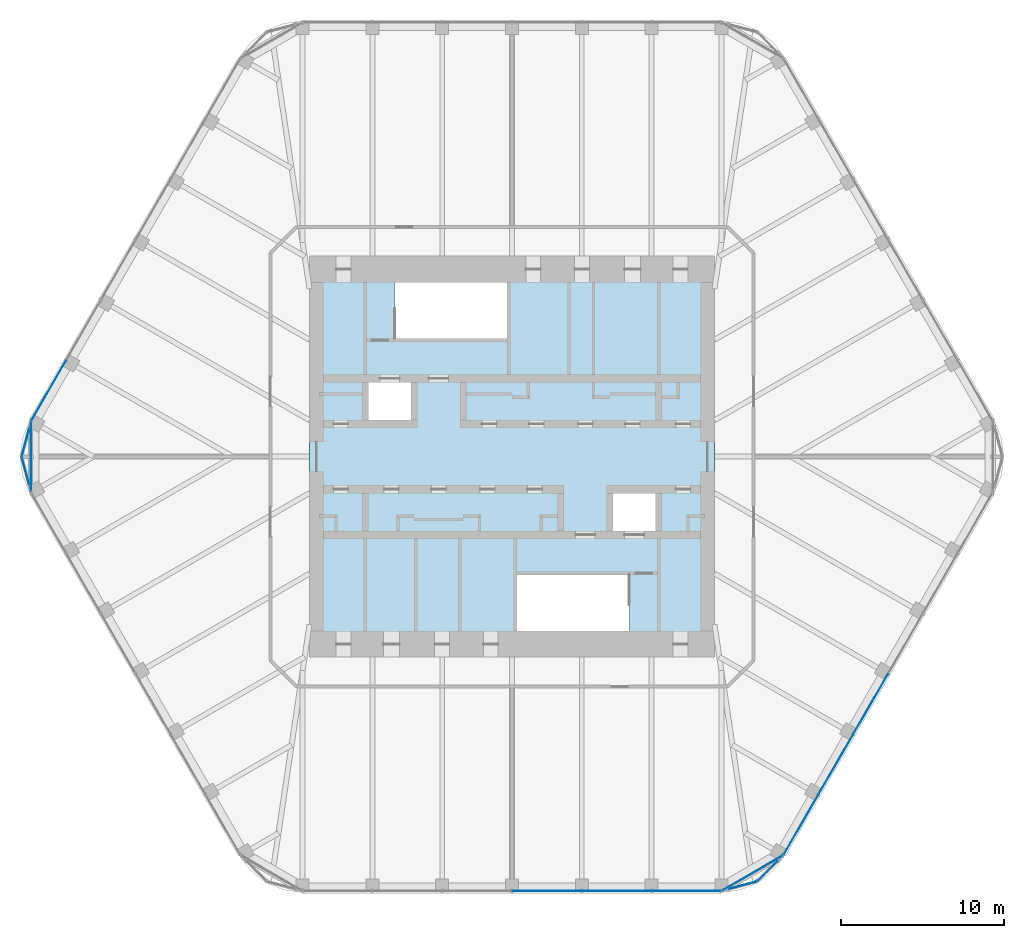
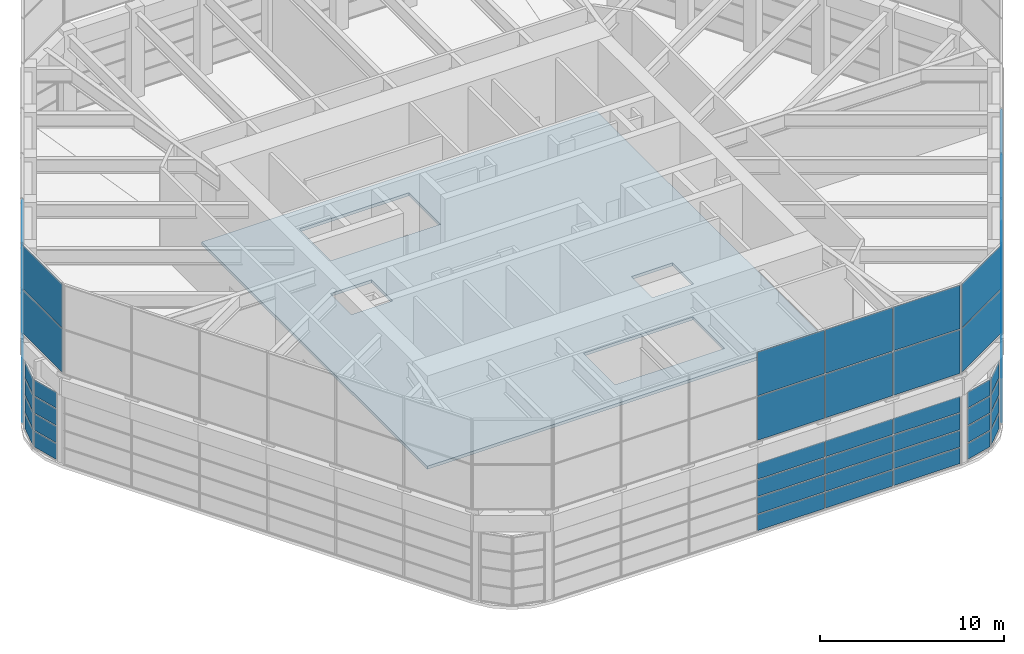
# One storey, part 11 of 17: 62 plates, 1 slab, 12 elements without a shape of their own.
"""IFC4 building model written with IfcOpenShell, lengths in metres."""

from ifc_helpers import new_model, si_unit, direction, frame, origin, origin_2d, place, context, subcontext, project, spatial, polyline, rectangle, outline, extrude, material, layer, layer_set, type_object, element, aggregate, save


model = new_model("IFC4")

# Units and contexts
model_context = context("Model", 3, precision=1e-05, world=origin(), true_north=direction((0.0, 1.0)))
body_context = subcontext(model_context, "Body", "Model", "MODEL_VIEW")
ifc_project = project(units=[si_unit("LENGTHUNIT", "METRE"), si_unit("AREAUNIT", "SQUARE_METRE"), si_unit("VOLUMEUNIT", "CUBIC_METRE"), si_unit("PLANEANGLEUNIT", "RADIAN"), si_unit("MASSUNIT", "GRAM", prefix="KILO")], contexts=[model_context])

# Site, building, storey
site_placement = place(None, origin())
site = spatial("IfcSite", under=ifc_project, at=site_placement, CompositionType="ELEMENT")
building_placement = place(site_placement, origin())
building = spatial("IfcBuilding", under=site, at=building_placement, Name="Tarfa Lantern Tower", CompositionType="ELEMENT")
storey_placement = place(building_placement, frame((0.0, 0.0, 402.300048828125)))
storey = spatial("IfcBuildingStorey", under=building, at=storey_placement, Name="L91", CompositionType="ELEMENT", Elevation=402.300048828125)

# Curtain wall, plates
ifc_material_1 = material(Name="Aluminium framed curtain wall", Category="aluminium")
curtain_wall_type_1 = type_object("IfcCurtainWallType", Name="CW8 LANTERN GLAZING 4600", PredefinedType="USERDEFINED", material=ifc_material_1)
curtain_wall_1_placement = place(storey_placement, origin())
curtain_wall_1 = element("IfcCurtainWall", 1, at=curtain_wall_1_placement, inside=storey, type_object=curtain_wall_type_1, Name="CW8 NWSW1 L91", ObjectType="CURTAIN WALL", PredefinedType="USERDEFINED")
ifc_material_2 = material(Name="Laminated double glazing", Category="glass")
ifc_layer_1 = layer(ifc_material_2, 0.028076171875)
ifc_layer_set_1 = layer_set([ifc_layer_1], Name="CWP1 DOUBLE GLAZED PANEL")
plate_type = type_object("IfcPlateType", Name="CWP1 DOUBLE GLAZED PANEL", PredefinedType="CURTAIN_PANEL", material=ifc_layer_set_1)
plate_1_placement = place(storey_placement, frame((-29.8544921875, 0.886962890625, 0.06494140625), z_axis=(0.0, 0.0, 1.0), x_axis=(-0.258818953611, -0.965925850804, 0.0)))
plate_1 = element("IfcPlate", 2, at=plate_1_placement, type_object=plate_type, Name="CW8 panel 1.1", PredefinedType="CURTAIN_PANEL", context=body_context, shape_type="SweptSolid", body=[
    extrude(rectangle(XDim=1.706787109375, YDim=0.028076171875, at=origin_2d()), origin(), (0.0, 0.0, 1.0), 1.052490234375),
])
plate_2_placement = place(storey_placement, frame((-29.8544921875, 0.886962890625, 1.182373046875), z_axis=(0.0, 0.0, 1.0), x_axis=(-0.258818953611, -0.965925850804, 0.0)))
plate_2 = element("IfcPlate", 3, at=plate_2_placement, type_object=plate_type, Name="CW8 panel 1.2", PredefinedType="CURTAIN_PANEL", context=body_context, shape_type="SweptSolid", body=[
    extrude(rectangle(XDim=1.706787109375, YDim=0.028076171875, at=origin_2d()), origin(), (0.0, 0.0, 1.0), 1.0849609375),
])
plate_3_placement = place(storey_placement, frame((-29.8544921875, 0.886962890625, 2.33251953125), z_axis=(0.0, 0.0, 1.0), x_axis=(-0.258818953611, -0.965925850804, 0.0)))
plate_3 = element("IfcPlate", 4, at=plate_3_placement, type_object=plate_type, Name="CW8 panel 1.3", PredefinedType="CURTAIN_PANEL", context=body_context, shape_type="SweptSolid", body=[
    extrude(rectangle(XDim=1.706787109375, YDim=0.028076171875, at=origin_2d()), origin(), (0.0, 0.0, 1.0), 1.0849609375),
])
plate_4_placement = place(storey_placement, frame((-29.8544921875, 0.886962890625, 3.482421875), z_axis=(0.0, 0.0, 1.0), x_axis=(-0.258818953611, -0.965925850804, 0.0)))
plate_4 = element("IfcPlate", 5, at=plate_4_placement, type_object=plate_type, Name="CW8 panel 1.4", PredefinedType="CURTAIN_PANEL", context=body_context, shape_type="SweptSolid", body=[
    extrude(rectangle(XDim=1.706787109375, YDim=0.028076171875, at=origin_2d()), origin(), (0.0, 0.0, 1.0), 1.052490234375),
])
aggregate(curtain_wall_1, [plate_1, plate_2, plate_3, plate_4])

curtain_wall_2_placement = place(storey_placement, origin())
curtain_wall_2 = element("IfcCurtainWall", 6, at=curtain_wall_2_placement, inside=storey, type_object=curtain_wall_type_1, Name="CW8 NWSW2 L91", ObjectType="CURTAIN WALL", PredefinedType="USERDEFINED")
plate_5_placement = place(storey_placement, frame((-29.8544921875, -0.886962890625, 0.06494140625), z_axis=(0.0, 0.0, 1.0), x_axis=(0.258818953611, -0.965925850804, 0.0)))
plate_5 = element("IfcPlate", 7, at=plate_5_placement, type_object=plate_type, Name="CW8 panel 1.1", PredefinedType="CURTAIN_PANEL", context=body_context, shape_type="SweptSolid", body=[
    extrude(rectangle(XDim=1.706787109375, YDim=0.028076171875, at=origin_2d()), origin(), (0.0, 0.0, 1.0), 1.052490234375),
])
plate_6_placement = place(storey_placement, frame((-29.8544921875, -0.886962890625, 1.182373046875), z_axis=(0.0, 0.0, 1.0), x_axis=(0.258818953611, -0.965925850804, 0.0)))
plate_6 = element("IfcPlate", 8, at=plate_6_placement, type_object=plate_type, Name="CW8 panel 1.2", PredefinedType="CURTAIN_PANEL", context=body_context, shape_type="SweptSolid", body=[
    extrude(rectangle(XDim=1.706787109375, YDim=0.028076171875, at=origin_2d()), origin(), (0.0, 0.0, 1.0), 1.0849609375),
])
plate_7_placement = place(storey_placement, frame((-29.8544921875, -0.886962890625, 2.33251953125), z_axis=(0.0, 0.0, 1.0), x_axis=(0.258818953611, -0.965925850804, 0.0)))
plate_7 = element("IfcPlate", 9, at=plate_7_placement, type_object=plate_type, Name="CW8 panel 1.3", PredefinedType="CURTAIN_PANEL", context=body_context, shape_type="SweptSolid", body=[
    extrude(rectangle(XDim=1.706787109375, YDim=0.028076171875, at=origin_2d()), origin(), (0.0, 0.0, 1.0), 1.0849609375),
])
plate_8_placement = place(storey_placement, frame((-29.8544921875, -0.886962890625, 3.482421875), z_axis=(0.0, 0.0, 1.0), x_axis=(0.258818953611, -0.965925850804, 0.0)))
plate_8 = element("IfcPlate", 10, at=plate_8_placement, type_object=plate_type, Name="CW8 panel 1.4", PredefinedType="CURTAIN_PANEL", context=body_context, shape_type="SweptSolid", body=[
    extrude(rectangle(XDim=1.706787109375, YDim=0.028076171875, at=origin_2d()), origin(), (0.0, 0.0, 1.0), 1.052490234375),
])
aggregate(curtain_wall_2, [plate_5, plate_6, plate_7, plate_8])

curtain_wall_3_placement = place(storey_placement, origin())
curtain_wall_3 = element("IfcCurtainWall", 11, at=curtain_wall_3_placement, inside=storey, type_object=curtain_wall_type_1, Name="CW8 SSE1 L91", ObjectType="CURTAIN WALL", PredefinedType="USERDEFINED")
plate_9_placement = place(storey_placement, frame((14.158935546875, -26.298095703125, 0.06494140625), z_axis=(0.0, 0.0, 1.0), x_axis=(0.965925850804, 0.258818953611, 0.0)))
plate_9 = element("IfcPlate", 12, at=plate_9_placement, type_object=plate_type, Name="CW8 panel 1.1", PredefinedType="CURTAIN_PANEL", context=body_context, shape_type="SweptSolid", body=[
    extrude(rectangle(XDim=1.706787109375, YDim=0.028076171875, at=origin_2d()), origin(), (0.0, 0.0, 1.0), 1.052490234375),
])
plate_10_placement = place(storey_placement, frame((14.158935546875, -26.298095703125, 1.182373046875), z_axis=(0.0, 0.0, 1.0), x_axis=(0.965925850804, 0.258818953611, 0.0)))
plate_10 = element("IfcPlate", 13, at=plate_10_placement, type_object=plate_type, Name="CW8 panel 1.2", PredefinedType="CURTAIN_PANEL", context=body_context, shape_type="SweptSolid", body=[
    extrude(rectangle(XDim=1.706787109375, YDim=0.028076171875, at=origin_2d()), origin(), (0.0, 0.0, 1.0), 1.0849609375),
])
plate_11_placement = place(storey_placement, frame((14.158935546875, -26.298095703125, 2.33251953125), z_axis=(0.0, 0.0, 1.0), x_axis=(0.965925850804, 0.258818953611, 0.0)))
plate_11 = element("IfcPlate", 14, at=plate_11_placement, type_object=plate_type, Name="CW8 panel 1.3", PredefinedType="CURTAIN_PANEL", context=body_context, shape_type="SweptSolid", body=[
    extrude(rectangle(XDim=1.706787109375, YDim=0.028076171875, at=origin_2d()), origin(), (0.0, 0.0, 1.0), 1.0849609375),
])
plate_12_placement = place(storey_placement, frame((14.158935546875, -26.298095703125, 3.482421875), z_axis=(0.0, 0.0, 1.0), x_axis=(0.965925850804, 0.258818953611, 0.0)))
plate_12 = element("IfcPlate", 15, at=plate_12_placement, type_object=plate_type, Name="CW8 panel 1.4", PredefinedType="CURTAIN_PANEL", context=body_context, shape_type="SweptSolid", body=[
    extrude(rectangle(XDim=1.706787109375, YDim=0.028076171875, at=origin_2d()), origin(), (0.0, 0.0, 1.0), 1.052490234375),
])
aggregate(curtain_wall_3, [plate_9, plate_10, plate_11, plate_12])

curtain_wall_4_placement = place(storey_placement, origin())
curtain_wall_4 = element("IfcCurtainWall", 16, at=curtain_wall_4_placement, inside=storey, type_object=curtain_wall_type_1, Name="CW8 SSE2 L91", ObjectType="CURTAIN WALL", PredefinedType="USERDEFINED")
plate_13_placement = place(storey_placement, frame((15.6953125, -25.4111328125, 0.06494140625), z_axis=(0.0, 0.0, 1.0), x_axis=(0.707106781187, 0.707106781187, 0.0)))
plate_13 = element("IfcPlate", 17, at=plate_13_placement, type_object=plate_type, Name="CW8 panel 1.1", PredefinedType="CURTAIN_PANEL", context=body_context, shape_type="SweptSolid", body=[
    extrude(rectangle(XDim=1.706787109375, YDim=0.028076171875, at=origin_2d()), origin(), (0.0, 0.0, 1.0), 1.052490234375),
])
plate_14_placement = place(storey_placement, frame((15.6953125, -25.4111328125, 1.182373046875), z_axis=(0.0, 0.0, 1.0), x_axis=(0.707106781187, 0.707106781187, 0.0)))
plate_14 = element("IfcPlate", 18, at=plate_14_placement, type_object=plate_type, Name="CW8 panel 1.2", PredefinedType="CURTAIN_PANEL", context=body_context, shape_type="SweptSolid", body=[
    extrude(rectangle(XDim=1.706787109375, YDim=0.028076171875, at=origin_2d()), origin(), (0.0, 0.0, 1.0), 1.0849609375),
])
plate_15_placement = place(storey_placement, frame((15.6953125, -25.4111328125, 2.33251953125), z_axis=(0.0, 0.0, 1.0), x_axis=(0.707106781187, 0.707106781187, 0.0)))
plate_15 = element("IfcPlate", 19, at=plate_15_placement, type_object=plate_type, Name="CW8 panel 1.3", PredefinedType="CURTAIN_PANEL", context=body_context, shape_type="SweptSolid", body=[
    extrude(rectangle(XDim=1.706787109375, YDim=0.028076171875, at=origin_2d()), origin(), (0.0, 0.0, 1.0), 1.0849609375),
])
plate_16_placement = place(storey_placement, frame((15.6953125, -25.4111328125, 3.482421875), z_axis=(0.0, 0.0, 1.0), x_axis=(0.707106781187, 0.707106781187, 0.0)))
plate_16 = element("IfcPlate", 20, at=plate_16_placement, type_object=plate_type, Name="CW8 panel 1.4", PredefinedType="CURTAIN_PANEL", context=body_context, shape_type="SweptSolid", body=[
    extrude(rectangle(XDim=1.706787109375, YDim=0.028076171875, at=origin_2d()), origin(), (0.0, 0.0, 1.0), 1.052490234375),
])
aggregate(curtain_wall_4, [plate_13, plate_14, plate_15, plate_16])

curtain_wall_5_placement = place(storey_placement, origin())
curtain_wall_5 = element("IfcCurtainWall", 21, at=curtain_wall_5_placement, inside=storey, type_object=curtain_wall_type_1, Name="CW8 NW L91", ObjectType="CURTAIN WALL", PredefinedType="USERDEFINED")
plate_17_placement = place(storey_placement, frame((-28.424072265625, 4.068359375, 0.06494140625), z_axis=(0.0, 0.0, 1.0), x_axis=(-0.5, -0.866025403784, 0.0)))
plate_17 = element("IfcPlate", 22, at=plate_17_placement, type_object=plate_type, Name="CW8 panel 6.1", PredefinedType="CURTAIN_PANEL", context=body_context, shape_type="SweptSolid", body=[
    extrude(rectangle(XDim=4.1845703125, YDim=0.028076171875, at=origin_2d()), origin(), (0.0, 0.0, 1.0), 1.052490234375),
])
plate_18_placement = place(storey_placement, frame((-28.424072265625, 4.068359375, 1.182373046875), z_axis=(0.0, 0.0, 1.0), x_axis=(-0.5, -0.866025403784, 0.0)))
plate_18 = element("IfcPlate", 23, at=plate_18_placement, type_object=plate_type, Name="CW8 panel 6.2", PredefinedType="CURTAIN_PANEL", context=body_context, shape_type="SweptSolid", body=[
    extrude(rectangle(XDim=4.1845703125, YDim=0.028076171875, at=origin_2d()), origin(), (0.0, 0.0, 1.0), 1.0849609375),
])
plate_19_placement = place(storey_placement, frame((-28.424072265625, 4.068359375, 2.33251953125), z_axis=(0.0, 0.0, 1.0), x_axis=(-0.5, -0.866025403784, 0.0)))
plate_19 = element("IfcPlate", 24, at=plate_19_placement, type_object=plate_type, Name="CW8 panel 6.3", PredefinedType="CURTAIN_PANEL", context=body_context, shape_type="SweptSolid", body=[
    extrude(rectangle(XDim=4.1845703125, YDim=0.028076171875, at=origin_2d()), origin(), (0.0, 0.0, 1.0), 1.0849609375),
])
plate_20_placement = place(storey_placement, frame((-28.424072265625, 4.068359375, 3.482421875), z_axis=(0.0, 0.0, 1.0), x_axis=(-0.5, -0.866025403784, 0.0)))
plate_20 = element("IfcPlate", 25, at=plate_20_placement, type_object=plate_type, Name="CW8 panel 6.4", PredefinedType="CURTAIN_PANEL", context=body_context, shape_type="SweptSolid", body=[
    extrude(rectangle(XDim=4.1845703125, YDim=0.028076171875, at=origin_2d()), origin(), (0.0, 0.0, 1.0), 1.052490234375),
])
aggregate(curtain_wall_5, [plate_17, plate_18, plate_19, plate_20])

curtain_wall_6_placement = place(storey_placement, origin())
curtain_wall_6 = element("IfcCurtainWall", 26, at=curtain_wall_6_placement, inside=storey, type_object=curtain_wall_type_1, Name="CW8 S L91", ObjectType="CURTAIN WALL", PredefinedType="USERDEFINED")
plate_21_placement = place(storey_placement, frame((2.14111328125, -26.64990234375, 0.06494140625), z_axis=(0.0, 0.0, 1.0), x_axis=(1.0, 0.0, 0.0)))
plate_21 = element("IfcPlate", 27, at=plate_21_placement, type_object=plate_type, Name="CW8 panel 4.1", PredefinedType="CURTAIN_PANEL", context=body_context, shape_type="SweptSolid", body=[
    extrude(rectangle(XDim=4.217041015625, YDim=0.028076171875, at=origin_2d()), origin(), (0.0, 0.0, 1.0), 1.052490234375),
])
plate_22_placement = place(storey_placement, frame((2.14111328125, -26.64990234375, 1.182373046875), z_axis=(0.0, 0.0, 1.0), x_axis=(1.0, 0.0, 0.0)))
plate_22 = element("IfcPlate", 28, at=plate_22_placement, type_object=plate_type, Name="CW8 panel 4.2", PredefinedType="CURTAIN_PANEL", context=body_context, shape_type="SweptSolid", body=[
    extrude(rectangle(XDim=4.217041015625, YDim=0.028076171875, at=origin_2d()), origin(), (0.0, 0.0, 1.0), 1.0849609375),
])
plate_23_placement = place(storey_placement, frame((2.14111328125, -26.64990234375, 2.33251953125), z_axis=(0.0, 0.0, 1.0), x_axis=(1.0, 0.0, 0.0)))
plate_23 = element("IfcPlate", 29, at=plate_23_placement, type_object=plate_type, Name="CW8 panel 4.3", PredefinedType="CURTAIN_PANEL", context=body_context, shape_type="SweptSolid", body=[
    extrude(rectangle(XDim=4.217041015625, YDim=0.028076171875, at=origin_2d()), origin(), (0.0, 0.0, 1.0), 1.0849609375),
])
plate_24_placement = place(storey_placement, frame((2.14111328125, -26.64990234375, 3.482421875), z_axis=(0.0, 0.0, 1.0), x_axis=(1.0, 0.0, 0.0)))
plate_24 = element("IfcPlate", 30, at=plate_24_placement, type_object=plate_type, Name="CW8 panel 4.4", PredefinedType="CURTAIN_PANEL", context=body_context, shape_type="SweptSolid", body=[
    extrude(rectangle(XDim=4.217041015625, YDim=0.028076171875, at=origin_2d()), origin(), (0.0, 0.0, 1.0), 1.052490234375),
])
plate_25_placement = place(storey_placement, frame((6.423095703125, -26.64990234375, 0.06494140625), z_axis=(0.0, 0.0, 1.0), x_axis=(1.0, 0.0, 0.0)))
plate_25 = element("IfcPlate", 31, at=plate_25_placement, type_object=plate_type, Name="CW8 panel 5.1", PredefinedType="CURTAIN_PANEL", context=body_context, shape_type="SweptSolid", body=[
    extrude(rectangle(XDim=4.217041015625, YDim=0.028076171875, at=origin_2d()), origin(), (0.0, 0.0, 1.0), 1.052490234375),
])
plate_26_placement = place(storey_placement, frame((6.423095703125, -26.64990234375, 1.182373046875), z_axis=(0.0, 0.0, 1.0), x_axis=(1.0, 0.0, 0.0)))
plate_26 = element("IfcPlate", 32, at=plate_26_placement, type_object=plate_type, Name="CW8 panel 5.2", PredefinedType="CURTAIN_PANEL", context=body_context, shape_type="SweptSolid", body=[
    extrude(rectangle(XDim=4.217041015625, YDim=0.028076171875, at=origin_2d()), origin(), (0.0, 0.0, 1.0), 1.0849609375),
])
plate_27_placement = place(storey_placement, frame((6.423095703125, -26.64990234375, 2.33251953125), z_axis=(0.0, 0.0, 1.0), x_axis=(1.0, 0.0, 0.0)))
plate_27 = element("IfcPlate", 33, at=plate_27_placement, type_object=plate_type, Name="CW8 panel 5.3", PredefinedType="CURTAIN_PANEL", context=body_context, shape_type="SweptSolid", body=[
    extrude(rectangle(XDim=4.217041015625, YDim=0.028076171875, at=origin_2d()), origin(), (0.0, 0.0, 1.0), 1.0849609375),
])
plate_28_placement = place(storey_placement, frame((6.423095703125, -26.64990234375, 3.482421875), z_axis=(0.0, 0.0, 1.0), x_axis=(1.0, 0.0, 0.0)))
plate_28 = element("IfcPlate", 34, at=plate_28_placement, type_object=plate_type, Name="CW8 panel 5.4", PredefinedType="CURTAIN_PANEL", context=body_context, shape_type="SweptSolid", body=[
    extrude(rectangle(XDim=4.217041015625, YDim=0.028076171875, at=origin_2d()), origin(), (0.0, 0.0, 1.0), 1.052490234375),
])
plate_29_placement = place(storey_placement, frame((10.688720703125, -26.64990234375, 0.06494140625), z_axis=(0.0, 0.0, 1.0), x_axis=(1.0, 0.0, 0.0)))
plate_29 = element("IfcPlate", 35, at=plate_29_placement, type_object=plate_type, Name="CW8 panel 6.1", PredefinedType="CURTAIN_PANEL", context=body_context, shape_type="SweptSolid", body=[
    extrude(rectangle(XDim=4.1845703125, YDim=0.028076171875, at=origin_2d()), origin(), (0.0, 0.0, 1.0), 1.052490234375),
])
plate_30_placement = place(storey_placement, frame((10.688720703125, -26.64990234375, 1.182373046875), z_axis=(0.0, 0.0, 1.0), x_axis=(1.0, 0.0, 0.0)))
plate_30 = element("IfcPlate", 36, at=plate_30_placement, type_object=plate_type, Name="CW8 panel 6.2", PredefinedType="CURTAIN_PANEL", context=body_context, shape_type="SweptSolid", body=[
    extrude(rectangle(XDim=4.1845703125, YDim=0.028076171875, at=origin_2d()), origin(), (0.0, 0.0, 1.0), 1.0849609375),
])
plate_31_placement = place(storey_placement, frame((10.688720703125, -26.64990234375, 2.33251953125), z_axis=(0.0, 0.0, 1.0), x_axis=(1.0, 0.0, 0.0)))
plate_31 = element("IfcPlate", 37, at=plate_31_placement, type_object=plate_type, Name="CW8 panel 6.3", PredefinedType="CURTAIN_PANEL", context=body_context, shape_type="SweptSolid", body=[
    extrude(rectangle(XDim=4.1845703125, YDim=0.028076171875, at=origin_2d()), origin(), (0.0, 0.0, 1.0), 1.0849609375),
])
plate_32_placement = place(storey_placement, frame((10.688720703125, -26.64990234375, 3.482421875), z_axis=(0.0, 0.0, 1.0), x_axis=(1.0, 0.0, 0.0)))
plate_32 = element("IfcPlate", 38, at=plate_32_placement, type_object=plate_type, Name="CW8 panel 6.4", PredefinedType="CURTAIN_PANEL", context=body_context, shape_type="SweptSolid", body=[
    extrude(rectangle(XDim=4.1845703125, YDim=0.028076171875, at=origin_2d()), origin(), (0.0, 0.0, 1.0), 1.052490234375),
])
aggregate(curtain_wall_6, [plate_21, plate_22, plate_23, plate_24, plate_25, plate_26, plate_27, plate_28, plate_29, plate_30, plate_31, plate_32])

curtain_wall_7_placement = place(storey_placement, origin())
curtain_wall_7 = element("IfcCurtainWall", 39, at=curtain_wall_7_placement, inside=storey, type_object=curtain_wall_type_1, Name="CW8 SE L91", ObjectType="CURTAIN WALL", PredefinedType="USERDEFINED")
plate_33_placement = place(storey_placement, frame((17.735107421875, -22.581787109375, 0.06494140625), z_axis=(0.0, 0.0, 1.0), x_axis=(0.5, 0.866025403784, 0.0)))
plate_33 = element("IfcPlate", 40, at=plate_33_placement, type_object=plate_type, Name="CW8 panel 1.1", PredefinedType="CURTAIN_PANEL", context=body_context, shape_type="SweptSolid", body=[
    extrude(rectangle(XDim=4.1845703125, YDim=0.028076171875, at=origin_2d()), origin(), (0.0, 0.0, 1.0), 1.052490234375),
])
plate_34_placement = place(storey_placement, frame((17.735107421875, -22.581787109375, 1.182373046875), z_axis=(0.0, 0.0, 1.0), x_axis=(0.5, 0.866025403784, 0.0)))
plate_34 = element("IfcPlate", 41, at=plate_34_placement, type_object=plate_type, Name="CW8 panel 1.2", PredefinedType="CURTAIN_PANEL", context=body_context, shape_type="SweptSolid", body=[
    extrude(rectangle(XDim=4.1845703125, YDim=0.028076171875, at=origin_2d()), origin(), (0.0, 0.0, 1.0), 1.0849609375),
])
plate_35_placement = place(storey_placement, frame((17.735107421875, -22.581787109375, 2.33251953125), z_axis=(0.0, 0.0, 1.0), x_axis=(0.5, 0.866025403784, 0.0)))
plate_35 = element("IfcPlate", 42, at=plate_35_placement, type_object=plate_type, Name="CW8 panel 1.3", PredefinedType="CURTAIN_PANEL", context=body_context, shape_type="SweptSolid", body=[
    extrude(rectangle(XDim=4.1845703125, YDim=0.028076171875, at=origin_2d()), origin(), (0.0, 0.0, 1.0), 1.0849609375),
])
plate_36_placement = place(storey_placement, frame((17.735107421875, -22.581787109375, 3.482421875), z_axis=(0.0, 0.0, 1.0), x_axis=(0.5, 0.866025403784, 0.0)))
plate_36 = element("IfcPlate", 43, at=plate_36_placement, type_object=plate_type, Name="CW8 panel 1.4", PredefinedType="CURTAIN_PANEL", context=body_context, shape_type="SweptSolid", body=[
    extrude(rectangle(XDim=4.1845703125, YDim=0.028076171875, at=origin_2d()), origin(), (0.0, 0.0, 1.0), 1.052490234375),
])
plate_37_placement = place(storey_placement, frame((19.8681640625, -18.887451171875, 0.06494140625), z_axis=(0.0, 0.0, 1.0), x_axis=(0.5, 0.866025403784, 0.0)))
plate_37 = element("IfcPlate", 44, at=plate_37_placement, type_object=plate_type, Name="CW8 panel 2.1", PredefinedType="CURTAIN_PANEL", context=body_context, shape_type="SweptSolid", body=[
    extrude(rectangle(XDim=4.217041015625, YDim=0.028076171875, at=origin_2d()), origin(), (0.0, 0.0, 1.0), 1.052490234375),
])
plate_38_placement = place(storey_placement, frame((19.8681640625, -18.887451171875, 1.182373046875), z_axis=(0.0, 0.0, 1.0), x_axis=(0.5, 0.866025403784, 0.0)))
plate_38 = element("IfcPlate", 45, at=plate_38_placement, type_object=plate_type, Name="CW8 panel 2.2", PredefinedType="CURTAIN_PANEL", context=body_context, shape_type="SweptSolid", body=[
    extrude(rectangle(XDim=4.217041015625, YDim=0.028076171875, at=origin_2d()), origin(), (0.0, 0.0, 1.0), 1.0849609375),
])
plate_39_placement = place(storey_placement, frame((19.8681640625, -18.887451171875, 2.33251953125), z_axis=(0.0, 0.0, 1.0), x_axis=(0.5, 0.866025403784, 0.0)))
plate_39 = element("IfcPlate", 46, at=plate_39_placement, type_object=plate_type, Name="CW8 panel 2.3", PredefinedType="CURTAIN_PANEL", context=body_context, shape_type="SweptSolid", body=[
    extrude(rectangle(XDim=4.217041015625, YDim=0.028076171875, at=origin_2d()), origin(), (0.0, 0.0, 1.0), 1.0849609375),
])
plate_40_placement = place(storey_placement, frame((19.8681640625, -18.887451171875, 3.482421875), z_axis=(0.0, 0.0, 1.0), x_axis=(0.5, 0.866025403784, 0.0)))
plate_40 = element("IfcPlate", 47, at=plate_40_placement, type_object=plate_type, Name="CW8 panel 2.4", PredefinedType="CURTAIN_PANEL", context=body_context, shape_type="SweptSolid", body=[
    extrude(rectangle(XDim=4.217041015625, YDim=0.028076171875, at=origin_2d()), origin(), (0.0, 0.0, 1.0), 1.052490234375),
])
plate_41_placement = place(storey_placement, frame((22.009033203125, -15.17919921875, 0.06494140625), z_axis=(0.0, 0.0, 1.0), x_axis=(0.5, 0.866025403784, 0.0)))
plate_41 = element("IfcPlate", 48, at=plate_41_placement, type_object=plate_type, Name="CW8 panel 3.1", PredefinedType="CURTAIN_PANEL", context=body_context, shape_type="SweptSolid", body=[
    extrude(rectangle(XDim=4.217041015625, YDim=0.028076171875, at=origin_2d()), origin(), (0.0, 0.0, 1.0), 1.052490234375),
])
plate_42_placement = place(storey_placement, frame((22.009033203125, -15.17919921875, 1.182373046875), z_axis=(0.0, 0.0, 1.0), x_axis=(0.5, 0.866025403784, 0.0)))
plate_42 = element("IfcPlate", 49, at=plate_42_placement, type_object=plate_type, Name="CW8 panel 3.2", PredefinedType="CURTAIN_PANEL", context=body_context, shape_type="SweptSolid", body=[
    extrude(rectangle(XDim=4.217041015625, YDim=0.028076171875, at=origin_2d()), origin(), (0.0, 0.0, 1.0), 1.0849609375),
])
plate_43_placement = place(storey_placement, frame((22.009033203125, -15.17919921875, 2.33251953125), z_axis=(0.0, 0.0, 1.0), x_axis=(0.5, 0.866025403784, 0.0)))
plate_43 = element("IfcPlate", 50, at=plate_43_placement, type_object=plate_type, Name="CW8 panel 3.3", PredefinedType="CURTAIN_PANEL", context=body_context, shape_type="SweptSolid", body=[
    extrude(rectangle(XDim=4.217041015625, YDim=0.028076171875, at=origin_2d()), origin(), (0.0, 0.0, 1.0), 1.0849609375),
])
plate_44_placement = place(storey_placement, frame((22.009033203125, -15.17919921875, 3.482421875), z_axis=(0.0, 0.0, 1.0), x_axis=(0.5, 0.866025403784, 0.0)))
plate_44 = element("IfcPlate", 51, at=plate_44_placement, type_object=plate_type, Name="CW8 panel 3.4", PredefinedType="CURTAIN_PANEL", context=body_context, shape_type="SweptSolid", body=[
    extrude(rectangle(XDim=4.217041015625, YDim=0.028076171875, at=origin_2d()), origin(), (0.0, 0.0, 1.0), 1.052490234375),
])
aggregate(curtain_wall_7, [plate_33, plate_34, plate_35, plate_36, plate_37, plate_38, plate_39, plate_40, plate_41, plate_42, plate_43, plate_44])

curtain_wall_type_2 = type_object("IfcCurtainWallType", Name="CW9 CROWN SCREEN GLAZING 6000", PredefinedType="USERDEFINED", material=ifc_material_1)
curtain_wall_8_placement = place(storey_placement, origin())
curtain_wall_8 = element("IfcCurtainWall", 52, at=curtain_wall_8_placement, inside=storey, type_object=curtain_wall_type_2, Name="CW9 NW L91", ObjectType="CURTAIN WALL", PredefinedType="USERDEFINED")
plate_45_placement = place(storey_placement, frame((-28.424072265625, 4.068359375, 6.06494140625), z_axis=(0.0, 0.0, 1.0), x_axis=(-0.5, -0.866025403784, 0.0)))
plate_45 = element("IfcPlate", 53, at=plate_45_placement, type_object=plate_type, Name="CW9 panel 6.1", PredefinedType="CURTAIN_PANEL", context=body_context, shape_type="SweptSolid", body=[
    extrude(rectangle(XDim=4.1845703125, YDim=0.028076171875, at=origin_2d()), origin(), (0.0, 0.0, 1.0), 2.902587890625),
])
plate_46_placement = place(storey_placement, frame((-28.424072265625, 4.068359375, 9.0322265625), z_axis=(0.0, 0.0, 1.0), x_axis=(-0.5, -0.866025403784, 0.0)))
plate_46 = element("IfcPlate", 54, at=plate_46_placement, type_object=plate_type, Name="CW9 panel 6.2", PredefinedType="CURTAIN_PANEL", context=body_context, shape_type="SweptSolid", body=[
    extrude(rectangle(XDim=4.1845703125, YDim=0.028076171875, at=origin_2d()), origin(), (0.0, 0.0, 1.0), 2.902587890625),
])
aggregate(curtain_wall_8, [plate_45, plate_46])

curtain_wall_9_placement = place(storey_placement, origin())
curtain_wall_9 = element("IfcCurtainWall", 55, at=curtain_wall_9_placement, inside=storey, type_object=curtain_wall_type_2, Name="CW9 S L91", ObjectType="CURTAIN WALL", PredefinedType="USERDEFINED")
plate_47_placement = place(storey_placement, frame((2.14111328125, -26.64990234375, 6.06494140625), z_axis=(0.0, 0.0, 1.0), x_axis=(1.0, 0.0, 0.0)))
plate_47 = element("IfcPlate", 56, at=plate_47_placement, type_object=plate_type, Name="CW9 panel 4.1", PredefinedType="CURTAIN_PANEL", context=body_context, shape_type="SweptSolid", body=[
    extrude(rectangle(XDim=4.217041015625, YDim=0.028076171875, at=origin_2d()), origin(), (0.0, 0.0, 1.0), 2.902587890625),
])
plate_48_placement = place(storey_placement, frame((2.14111328125, -26.64990234375, 9.0322265625), z_axis=(0.0, 0.0, 1.0), x_axis=(1.0, 0.0, 0.0)))
plate_48 = element("IfcPlate", 57, at=plate_48_placement, type_object=plate_type, Name="CW9 panel 4.2", PredefinedType="CURTAIN_PANEL", context=body_context, shape_type="SweptSolid", body=[
    extrude(rectangle(XDim=4.217041015625, YDim=0.028076171875, at=origin_2d()), origin(), (0.0, 0.0, 1.0), 2.902587890625),
])
plate_49_placement = place(storey_placement, frame((6.423095703125, -26.64990234375, 6.06494140625), z_axis=(0.0, 0.0, 1.0), x_axis=(1.0, 0.0, 0.0)))
plate_49 = element("IfcPlate", 58, at=plate_49_placement, type_object=plate_type, Name="CW9 panel 5.1", PredefinedType="CURTAIN_PANEL", context=body_context, shape_type="SweptSolid", body=[
    extrude(rectangle(XDim=4.217041015625, YDim=0.028076171875, at=origin_2d()), origin(), (0.0, 0.0, 1.0), 2.902587890625),
])
plate_50_placement = place(storey_placement, frame((6.423095703125, -26.64990234375, 9.0322265625), z_axis=(0.0, 0.0, 1.0), x_axis=(1.0, 0.0, 0.0)))
plate_50 = element("IfcPlate", 59, at=plate_50_placement, type_object=plate_type, Name="CW9 panel 5.2", PredefinedType="CURTAIN_PANEL", context=body_context, shape_type="SweptSolid", body=[
    extrude(rectangle(XDim=4.217041015625, YDim=0.028076171875, at=origin_2d()), origin(), (0.0, 0.0, 1.0), 2.902587890625),
])
plate_51_placement = place(storey_placement, frame((10.688720703125, -26.64990234375, 6.06494140625), z_axis=(0.0, 0.0, 1.0), x_axis=(1.0, 0.0, 0.0)))
plate_51 = element("IfcPlate", 60, at=plate_51_placement, type_object=plate_type, Name="CW9 panel 6.1", PredefinedType="CURTAIN_PANEL", context=body_context, shape_type="SweptSolid", body=[
    extrude(rectangle(XDim=4.1845703125, YDim=0.028076171875, at=origin_2d()), origin(), (0.0, 0.0, 1.0), 2.902587890625),
])
plate_52_placement = place(storey_placement, frame((10.688720703125, -26.64990234375, 9.0322265625), z_axis=(0.0, 0.0, 1.0), x_axis=(1.0, 0.0, 0.0)))
plate_52 = element("IfcPlate", 61, at=plate_52_placement, type_object=plate_type, Name="CW9 panel 6.2", PredefinedType="CURTAIN_PANEL", context=body_context, shape_type="SweptSolid", body=[
    extrude(rectangle(XDim=4.1845703125, YDim=0.028076171875, at=origin_2d()), origin(), (0.0, 0.0, 1.0), 2.902587890625),
])
aggregate(curtain_wall_9, [plate_47, plate_48, plate_49, plate_50, plate_51, plate_52])

curtain_wall_10_placement = place(storey_placement, origin())
curtain_wall_10 = element("IfcCurtainWall", 62, at=curtain_wall_10_placement, inside=storey, type_object=curtain_wall_type_2, Name="CW9 SE L91", ObjectType="CURTAIN WALL", PredefinedType="USERDEFINED")
plate_53_placement = place(storey_placement, frame((17.735107421875, -22.581787109375, 6.06494140625), z_axis=(0.0, 0.0, 1.0), x_axis=(0.5, 0.866025403784, 0.0)))
plate_53 = element("IfcPlate", 63, at=plate_53_placement, type_object=plate_type, Name="CW9 panel 1.1", PredefinedType="CURTAIN_PANEL", context=body_context, shape_type="SweptSolid", body=[
    extrude(rectangle(XDim=4.1845703125, YDim=0.028076171875, at=origin_2d()), origin(), (0.0, 0.0, 1.0), 2.902587890625),
])
plate_54_placement = place(storey_placement, frame((17.735107421875, -22.581787109375, 9.0322265625), z_axis=(0.0, 0.0, 1.0), x_axis=(0.5, 0.866025403784, 0.0)))
plate_54 = element("IfcPlate", 64, at=plate_54_placement, type_object=plate_type, Name="CW9 panel 1.2", PredefinedType="CURTAIN_PANEL", context=body_context, shape_type="SweptSolid", body=[
    extrude(rectangle(XDim=4.1845703125, YDim=0.028076171875, at=origin_2d()), origin(), (0.0, 0.0, 1.0), 2.902587890625),
])
plate_55_placement = place(storey_placement, frame((19.8681640625, -18.887451171875, 6.06494140625), z_axis=(0.0, 0.0, 1.0), x_axis=(0.5, 0.866025403784, 0.0)))
plate_55 = element("IfcPlate", 65, at=plate_55_placement, type_object=plate_type, Name="CW9 panel 2.1", PredefinedType="CURTAIN_PANEL", context=body_context, shape_type="SweptSolid", body=[
    extrude(rectangle(XDim=4.217041015625, YDim=0.028076171875, at=origin_2d()), origin(), (0.0, 0.0, 1.0), 2.902587890625),
])
plate_56_placement = place(storey_placement, frame((19.8681640625, -18.887451171875, 9.0322265625), z_axis=(0.0, 0.0, 1.0), x_axis=(0.5, 0.866025403784, 0.0)))
plate_56 = element("IfcPlate", 66, at=plate_56_placement, type_object=plate_type, Name="CW9 panel 2.2", PredefinedType="CURTAIN_PANEL", context=body_context, shape_type="SweptSolid", body=[
    extrude(rectangle(XDim=4.217041015625, YDim=0.028076171875, at=origin_2d()), origin(), (0.0, 0.0, 1.0), 2.902587890625),
])
plate_57_placement = place(storey_placement, frame((22.009033203125, -15.17919921875, 6.06494140625), z_axis=(0.0, 0.0, 1.0), x_axis=(0.5, 0.866025403784, 0.0)))
plate_57 = element("IfcPlate", 67, at=plate_57_placement, type_object=plate_type, Name="CW9 panel 3.1", PredefinedType="CURTAIN_PANEL", context=body_context, shape_type="SweptSolid", body=[
    extrude(rectangle(XDim=4.217041015625, YDim=0.028076171875, at=origin_2d()), origin(), (0.0, 0.0, 1.0), 2.902587890625),
])
plate_58_placement = place(storey_placement, frame((22.009033203125, -15.17919921875, 9.0322265625), z_axis=(0.0, 0.0, 1.0), x_axis=(0.5, 0.866025403784, 0.0)))
plate_58 = element("IfcPlate", 68, at=plate_58_placement, type_object=plate_type, Name="CW9 panel 3.2", PredefinedType="CURTAIN_PANEL", context=body_context, shape_type="SweptSolid", body=[
    extrude(rectangle(XDim=4.217041015625, YDim=0.028076171875, at=origin_2d()), origin(), (0.0, 0.0, 1.0), 2.902587890625),
])
aggregate(curtain_wall_10, [plate_53, plate_54, plate_55, plate_56, plate_57, plate_58])

curtain_wall_11_placement = place(storey_placement, origin())
curtain_wall_11 = element("IfcCurtainWall", 69, at=curtain_wall_11_placement, inside=storey, type_object=curtain_wall_type_2, Name="CW9 NWSW L91", ObjectType="CURTAIN WALL", PredefinedType="USERDEFINED")
plate_59_placement = place(storey_placement, frame((-29.502685546875, 0.0, 6.06494140625), z_axis=(0.0, 0.0, 1.0), x_axis=(0.0, -1.0, 0.0)))
plate_59 = element("IfcPlate", 70, at=plate_59_placement, type_object=plate_type, Name="CW9 panel 1.1", PredefinedType="CURTAIN_PANEL", context=body_context, shape_type="SweptSolid", body=[
    extrude(rectangle(XDim=4.27001953125, YDim=0.028076171875, at=origin_2d()), origin(), (0.0, 0.0, 1.0), 2.902587890625),
])
plate_60_placement = place(storey_placement, frame((-29.502685546875, 0.0, 9.0322265625), z_axis=(0.0, 0.0, 1.0), x_axis=(0.0, -1.0, 0.0)))
plate_60 = element("IfcPlate", 71, at=plate_60_placement, type_object=plate_type, Name="CW9 panel 1.2", PredefinedType="CURTAIN_PANEL", context=body_context, shape_type="SweptSolid", body=[
    extrude(rectangle(XDim=4.27001953125, YDim=0.028076171875, at=origin_2d()), origin(), (0.0, 0.0, 1.0), 2.902587890625),
])
aggregate(curtain_wall_11, [plate_59, plate_60])

curtain_wall_12_placement = place(storey_placement, origin())
curtain_wall_12 = element("IfcCurtainWall", 72, at=curtain_wall_12_placement, inside=storey, type_object=curtain_wall_type_2, Name="CW9 SSE L91", ObjectType="CURTAIN WALL", PredefinedType="USERDEFINED")
plate_61_placement = place(storey_placement, frame((14.751220703125, -25.550048828125, 6.06494140625), z_axis=(0.0, 0.0, 1.0), x_axis=(0.866025403784, 0.5, 0.0)))
plate_61 = element("IfcPlate", 73, at=plate_61_placement, type_object=plate_type, Name="CW9 panel 1.1", PredefinedType="CURTAIN_PANEL", context=body_context, shape_type="SweptSolid", body=[
    extrude(rectangle(XDim=4.27001953125, YDim=0.028076171875, at=origin_2d()), origin(), (0.0, 0.0, 1.0), 2.902587890625),
])
plate_62_placement = place(storey_placement, frame((14.751220703125, -25.550048828125, 9.0322265625), z_axis=(0.0, 0.0, 1.0), x_axis=(0.866025403784, 0.5, 0.0)))
plate_62 = element("IfcPlate", 74, at=plate_62_placement, type_object=plate_type, Name="CW9 panel 1.2", PredefinedType="CURTAIN_PANEL", context=body_context, shape_type="SweptSolid", body=[
    extrude(rectangle(XDim=4.27001953125, YDim=0.028076171875, at=origin_2d()), origin(), (0.0, 0.0, 1.0), 2.902587890625),
])
aggregate(curtain_wall_12, [plate_61, plate_62])

# Slab
ifc_material_3 = material(Name="Concrete C40/50", Category="concrete")
ifc_layer_2 = layer(ifc_material_3, 0.199951171875)
ifc_layer_set_2 = layer_set([ifc_layer_2], Name="FS1 FLOOR SLAB 200")
slab_type = type_object("IfcSlabType", Name="FS1 FLOOR SLAB 200", PredefinedType="FLOOR", material=ifc_layer_set_2)
slab_placement = place(storey_placement, frame((0.0, 0.0, -0.199951171875)))
element("IfcSlab", 75, at=slab_placement, inside=storey, type_object=slab_type, Name="Floor slab L91", PredefinedType="FLOOR", context=body_context, shape_type="SweptSolid", body=[
    extrude(outline(polyline([(-12.425048828125, -12.300048828125), (12.425048828125, -12.300048828125), (12.425048828125, 12.300048828125), (-12.425048828125, 12.300048828125), (-12.425048828125, -12.300048828125)]), holes=[polyline([(-8.800048828125, 2.25), (-6.199951171875, 2.25), (-6.199951171875, 4.550048828125), (-8.800048828125, 4.550048828125), (-8.800048828125, 2.25)]), polyline([(8.800048828125, -2.25), (6.199951171875, -2.25), (6.199951171875, -4.550048828125), (8.800048828125, -4.550048828125), (8.800048828125, -2.25)]), polyline([(-7.199951171875, 7.25), (-0.300048828125, 7.25), (-0.300048828125, 10.699951171875), (-7.199951171875, 10.699951171875), (-7.199951171875, 7.25)]), polyline([(7.199951171875, -7.25), (0.300048828125, -7.25), (0.300048828125, -10.699951171875), (7.199951171875, -10.699951171875), (7.199951171875, -7.25)])]), origin(), (0.0, 0.0, 1.0), 0.199951171875),
])

save(model, "model.ifc")
